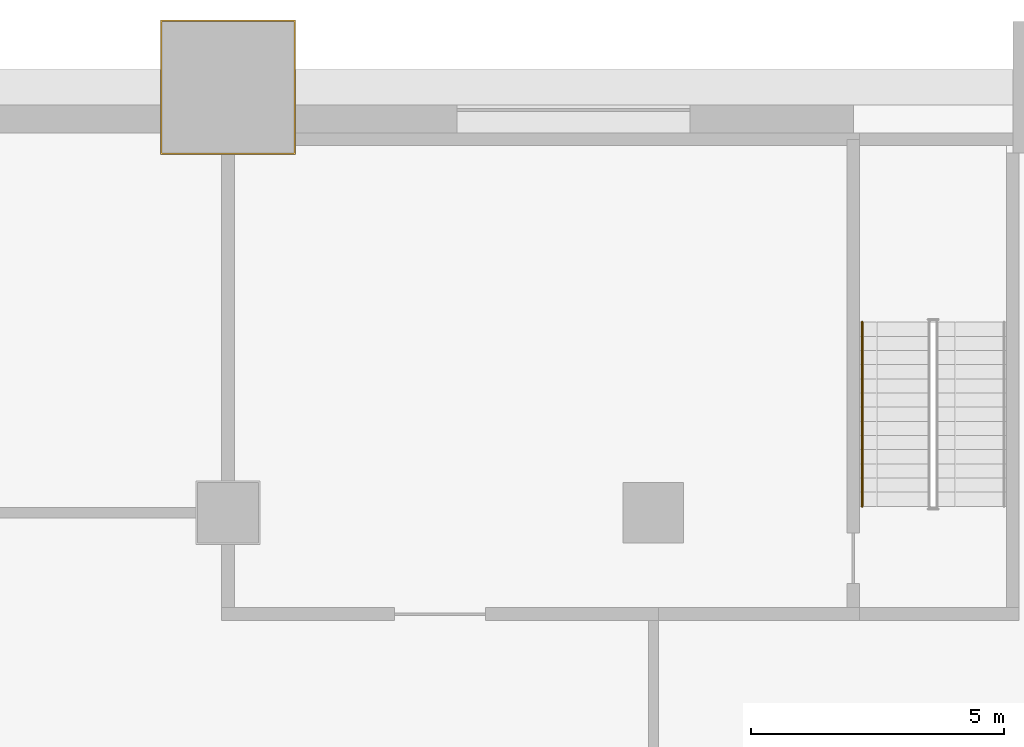
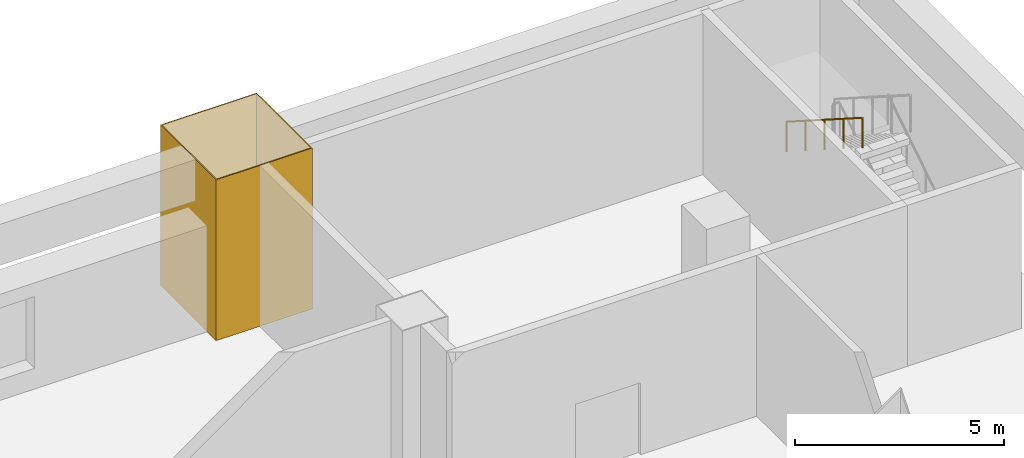
# One storey, part 15 of 17: 1 covering, 1 railing.
"""IFC4 building model written with IfcOpenShell, lengths in metres."""

from ifc_helpers import new_model, si_unit, direction, frame, origin, origin_2d, place, context, subcontext, project, spatial, polyline, circle, outline, extrude, material, layer, layer_set, type_object, element, save


model = new_model("IFC4")

# Units and contexts
model_context = context("Model", 3, precision=1e-05, world=origin(), true_north=direction((0.0, 1.0)))
body_context = subcontext(model_context, "Body", "Model", "MODEL_VIEW")
ifc_project = project(units=[si_unit("LENGTHUNIT", "METRE"), si_unit("AREAUNIT", "SQUARE_METRE"), si_unit("VOLUMEUNIT", "CUBIC_METRE"), si_unit("PLANEANGLEUNIT", "RADIAN"), si_unit("MASSUNIT", "GRAM", prefix="KILO")], contexts=[model_context])

# Site, building, storey
site_placement = place(None, origin())
site = spatial("IfcSite", under=ifc_project, at=site_placement, CompositionType="ELEMENT")
building_placement = place(site_placement, origin())
building = spatial("IfcBuilding", under=site, at=building_placement, Name="Cantera Rosa Tower", CompositionType="ELEMENT")
storey_placement = place(building_placement, frame((0.0, 0.0, 27.0)))
storey = spatial("IfcBuildingStorey", under=building, at=storey_placement, Name="L04", CompositionType="ELEMENT", Elevation=27.0)

# Covering
ifc_material_1 = material(Name="Plaster")
ifc_layer = layer(ifc_material_1, 0.030029296875)
ifc_layer_set = layer_set([ifc_layer], Name="Column casing 30")
covering_type = type_object("IfcCoveringType", Name="Column casing 30", PredefinedType="CLADDING", material=ifc_layer_set)
covering_placement = place(storey_placement, origin())
element("IfcCovering", 1, at=covering_placement, inside=storey, type_object=covering_type, Name="Column casing L04-031", PredefinedType="CLADDING", context=body_context, shape_type="SweptSolid", body=[
    extrude(outline(polyline([(15.469970703125, 28.070068359375), (18.1298828125, 28.070068359375), (18.1298828125, 30.72998046875), (15.469970703125, 30.72998046875), (15.469970703125, 28.070068359375)]), holes=[polyline([(18.10009765625, 30.699951171875), (15.5, 30.699951171875), (15.5, 28.10009765625), (18.10009765625, 28.10009765625), (18.10009765625, 30.699951171875)])]), origin(), (0.0, 0.0, 1.0), 4.699951171875),
])

# Railing
ifc_material_2 = material(Name="Steel S355J2 (EN 10025-2)", Category="steel")
railing_type = type_object("IfcRailingType", Name="STAIR HANDRAIL 900", PredefinedType="HANDRAIL", material=ifc_material_2)
railing_placement = place(storey_placement, frame((29.324951171875, 24.764892578125, 2.678466796875)))
element("IfcRailing", 2, at=railing_placement, inside=storey, type_object=railing_type, Name="L04 ST-NE stair handrail 2", PredefinedType="HANDRAIL", context=body_context, shape_type="SweptSolid", body=[
    extrude(circle(Radius=0.02392578125, at=origin_2d()), frame((0.0, 0.0, 0.8759765625), z_axis=(0.0, -0.843111507901, 0.53773877045), x_axis=(1.0, 0.0, 0.0)), (0.0, 0.0, 1.0), 4.317138671875),
    extrude(circle(Radius=0.02099609375, at=origin_2d()), origin(), (0.0, 0.0, 1.0), 0.851806640625),
    extrude(circle(Radius=0.02099609375, at=origin_2d()), frame((0.0, -0.909912109375, 0.580322265625)), (0.0, 0.0, 1.0), 0.851806640625),
    extrude(circle(Radius=0.02099609375, at=origin_2d()), frame((0.0, -1.81982421875, 1.16064453125)), (0.0, 0.0, 1.0), 0.851806640625),
    extrude(circle(Radius=0.02099609375, at=origin_2d()), frame((0.0, -2.72998046875, 1.7412109375)), (0.0, 0.0, 1.0), 0.851806640625),
    extrude(circle(Radius=0.02099609375, at=origin_2d()), frame((0.0, -3.639892578125, 2.321533203125)), (0.0, 0.0, 1.0), 0.851806640625),
])

save(model, "model.ifc")
